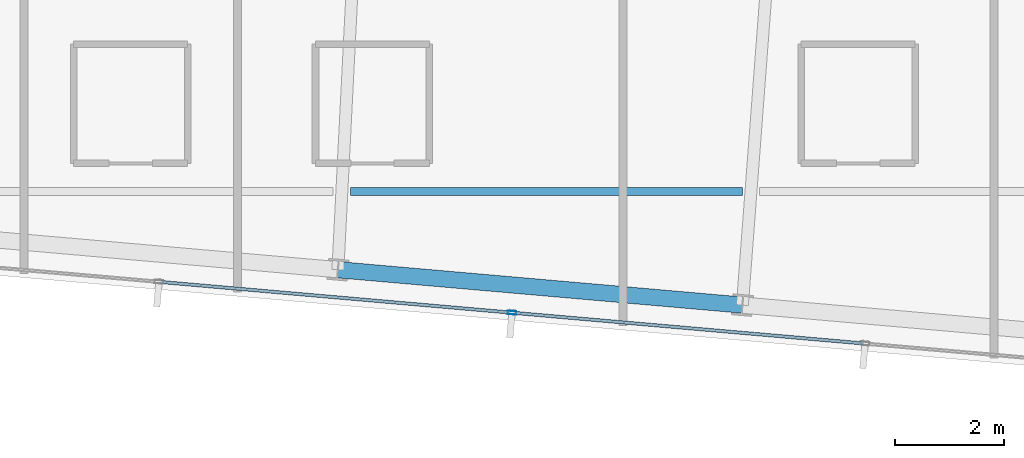
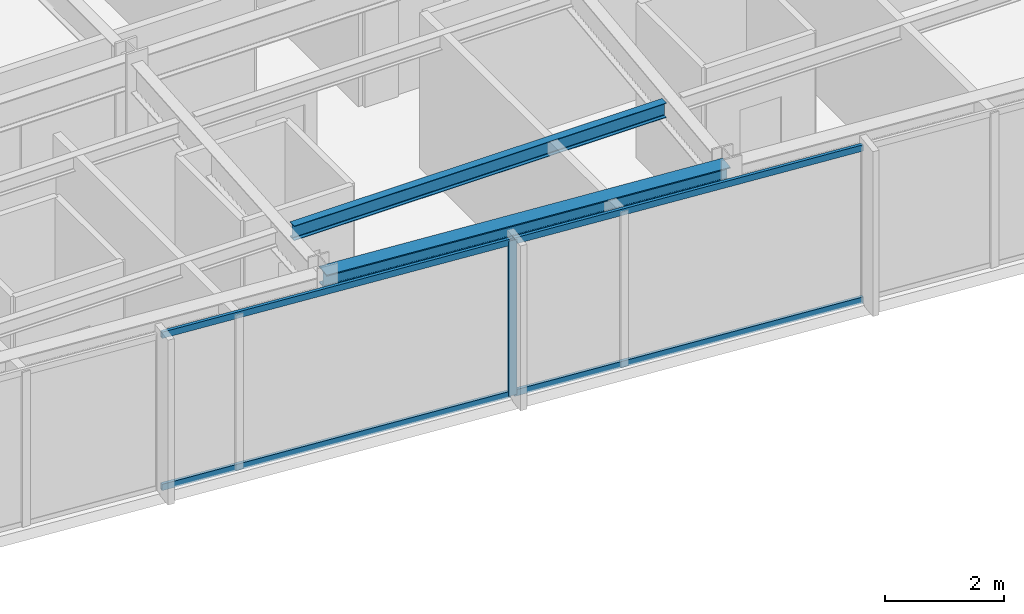
# One storey, part 7 of 33: 5 members, 2 beams, 1 element without a shape of its own.
"""IFC4 building model written with IfcOpenShell, lengths in metres."""

from ifc_helpers import new_model, si_unit, direction, frame, origin, origin_2d, place, context, subcontext, project, spatial, hollow_rectangle, i_section, extrude, material, material_profile, profile_set, type_object, element, aggregate, save


model = new_model("IFC4")

# Units and contexts
model_context = context("Model", 3, precision=1e-05, world=origin(), true_north=direction((0.0, 1.0)))
body_context = subcontext(model_context, "Body", "Model", "MODEL_VIEW")
ifc_project = project(units=[si_unit("LENGTHUNIT", "METRE"), si_unit("AREAUNIT", "SQUARE_METRE"), si_unit("VOLUMEUNIT", "CUBIC_METRE"), si_unit("PLANEANGLEUNIT", "RADIAN"), si_unit("MASSUNIT", "GRAM", prefix="KILO")], contexts=[model_context])

# Site, building, storey
site_placement = place(None, origin())
site = spatial("IfcSite", under=ifc_project, at=site_placement, CompositionType="ELEMENT")
building_placement = place(site_placement, origin())
building = spatial("IfcBuilding", under=site, at=building_placement, Name="Yelkora Congress Tower", CompositionType="ELEMENT")
storey_placement = place(building_placement, frame((0.0, 0.0, 289.699951171875)))
storey = spatial("IfcBuildingStorey", under=building, at=storey_placement, Name="L81", CompositionType="ELEMENT", Elevation=289.699951171875)

# Beams
ifc_material_1 = material(Name="Steel S355J2", Category="steel")
ifc_material_profile_1 = material_profile(ifc_material_1, i_section(OverallWidth=0.14990234375, OverallDepth=0.300048828125, WebThickness=0.007080078125, FlangeThickness=0.0107421875, FilletRadius=0.014892578125, at=origin_2d()), Name="IPE 300")
ifc_profile_set_1 = profile_set([ifc_material_profile_1], Name="Steel S355J2")
beam_type_1 = type_object("IfcBeamType", Name="BM-JOIST-IPE300", PredefinedType="JOIST", material=ifc_profile_set_1)
beam_1_placement = place(storey_placement, frame((30.595703125, 19.58447265625, 3.030029296875), z_axis=(1.0, 0.0, 0.0), x_axis=(0.0, 1.0, 0.0)))
element("IfcBeam", 1, at=beam_1_placement, inside=storey, type_object=beam_type_1, Name="L81 Composite Floor Joist 2", PredefinedType="JOIST", context=body_context, shape_type="SweptSolid", body=[
    extrude(i_section(OverallWidth=0.14990234375, OverallDepth=0.300048828125, WebThickness=0.007080078125, FlangeThickness=0.0107421875, FilletRadius=0.014892578125, at=origin_2d()), origin(), (0.0, 0.0, 1.0), 7.219970703125),
])
ifc_material_profile_2 = material_profile(ifc_material_1, i_section(OverallWidth=0.300048828125, OverallDepth=0.340087890625, WebThickness=0.011962890625, FlangeThickness=0.021484375, FilletRadius=0.027099609375, at=origin_2d()), Name="HEB 340")
ifc_profile_set_2 = profile_set([ifc_material_profile_2], Name="Steel S355J2")
beam_type_2 = type_object("IfcBeamType", Name="BM-SPAN-HEB340", PredefinedType="SPANDREL", material=ifc_profile_set_2)
beam_2_placement = place(storey_placement, frame((30.362548828125, 18.14111328125, 3.010009765625), z_axis=(0.99619601894, -0.087140644067, 0.0), x_axis=(0.087140644067, 0.99619601894, 0.0)))
element("IfcBeam", 2, at=beam_2_placement, inside=storey, type_object=beam_type_2, Name="L81 Perimeter Beam 4", PredefinedType="SPANDREL", context=body_context, shape_type="SweptSolid", body=[
    extrude(i_section(OverallWidth=0.300048828125, OverallDepth=0.340087890625, WebThickness=0.011962890625, FlangeThickness=0.021484375, FilletRadius=0.027099609375, at=origin_2d()), origin(), (0.0, 0.0, 1.0), 7.4833984375),
])

# Curtain wall, members
ifc_material_2 = material(Name="Anodised aluminium and insulated glass", Category="aluminium")
curtain_wall_type = type_object("IfcCurtainWallType", Name="CW-SYS-B5", PredefinedType="NOTDEFINED", material=ifc_material_2)
curtain_wall_placement = place(storey_placement, origin())
curtain_wall = element("IfcCurtainWall", 3, at=curtain_wall_placement, inside=storey, type_object=curtain_wall_type, Name="L81 Unitised Curtain Wall 20", PredefinedType="NOTDEFINED")
ifc_material_3 = material(Name="Anodised aluminium 6063-T6", Category="aluminium")
ifc_material_profile_3 = material_profile(ifc_material_3, hollow_rectangle(XDim=0.06494140625, YDim=0.159912109375, WallThickness=0.00390625, at=origin_2d()), Name="ALU 65x160x4")
ifc_profile_set_3 = profile_set([ifc_material_profile_3], Name="Anodised aluminium 6063-T6")
member_type_1 = type_object("IfcMemberType", Name="MEM-ML-B5", PredefinedType="MULLION", material=ifc_profile_set_3)
member_1_placement = place(storey_placement, frame((33.571533203125, 17.348388671875, 0.0), z_axis=(0.0, 0.0, 1.0), x_axis=(-0.087156829793, -0.996194602987, 0.0)))
member_1 = element("IfcMember", 4, at=member_1_placement, type_object=member_type_1, Name="CW-B5 mullion 4", PredefinedType="MULLION", context=body_context, shape_type="SweptSolid", body=[
    extrude(hollow_rectangle(XDim=0.06494140625, YDim=0.159912109375, WallThickness=0.00390625, at=origin_2d()), origin(), (0.0, 0.0, 1.0), 3.179931640625),
])
ifc_material_profile_4 = material_profile(ifc_material_3, hollow_rectangle(XDim=0.06005859375, YDim=0.1298828125, WallThickness=0.00390625, at=origin_2d()), Name="ALU 60x130x4")
ifc_profile_set_4 = profile_set([ifc_material_profile_4], Name="Anodised aluminium 6063-T6")
member_type_2 = type_object("IfcMemberType", Name="MEM-TR-B5", PredefinedType="USERDEFINED", material=ifc_profile_set_4)
member_2_placement = place(storey_placement, frame((40.045654296875, 16.781982421875, 0.030029296875), z_axis=(-0.996192979814, 0.08717538052, 0.0), x_axis=(-0.08717538052, -0.996192979814, 0.0)))
member_2 = element("IfcMember", 5, at=member_2_placement, type_object=member_type_2, Name="CW-B5 transom 3.1", ObjectType="TRANSOM", PredefinedType="USERDEFINED", context=body_context, shape_type="SweptSolid", body=[
    extrude(hollow_rectangle(XDim=0.06005859375, YDim=0.1298828125, WallThickness=0.00390625, at=origin_2d()), origin(), (0.0, 0.0, 1.0), 6.466552734375),
])
member_3_placement = place(storey_placement, frame((40.045654296875, 16.781982421875, 3.150146484375), z_axis=(-0.996192979814, 0.08717538052, 0.0), x_axis=(-0.08717538052, -0.996192979814, 0.0)))
member_3 = element("IfcMember", 6, at=member_3_placement, type_object=member_type_2, Name="CW-B5 transom 3.2", ObjectType="TRANSOM", PredefinedType="USERDEFINED", context=body_context, shape_type="SweptSolid", body=[
    extrude(hollow_rectangle(XDim=0.06005859375, YDim=0.1298828125, WallThickness=0.00390625, at=origin_2d()), origin(), (0.0, 0.0, 1.0), 6.466552734375),
])
member_4_placement = place(storey_placement, frame((33.5390625, 17.351318359375, 0.030029296875), z_axis=(-0.996196257862, 0.087137912649, 0.0), x_axis=(-0.087137912649, -0.996196257862, 0.0)))
member_4 = element("IfcMember", 7, at=member_4_placement, type_object=member_type_2, Name="CW-B5 transom 4.1", ObjectType="TRANSOM", PredefinedType="USERDEFINED", context=body_context, shape_type="SweptSolid", body=[
    extrude(hollow_rectangle(XDim=0.06005859375, YDim=0.1298828125, WallThickness=0.00390625, at=origin_2d()), origin(), (0.0, 0.0, 1.0), 6.466552734375),
])
member_5_placement = place(storey_placement, frame((33.5390625, 17.351318359375, 3.150146484375), z_axis=(-0.996196257862, 0.087137912649, 0.0), x_axis=(-0.087137912649, -0.996196257862, 0.0)))
member_5 = element("IfcMember", 8, at=member_5_placement, type_object=member_type_2, Name="CW-B5 transom 4.2", ObjectType="TRANSOM", PredefinedType="USERDEFINED", context=body_context, shape_type="SweptSolid", body=[
    extrude(hollow_rectangle(XDim=0.06005859375, YDim=0.1298828125, WallThickness=0.00390625, at=origin_2d()), origin(), (0.0, 0.0, 1.0), 6.466552734375),
])
aggregate(curtain_wall, [member_1, member_2, member_3, member_4, member_5])

save(model, "model.ifc")
